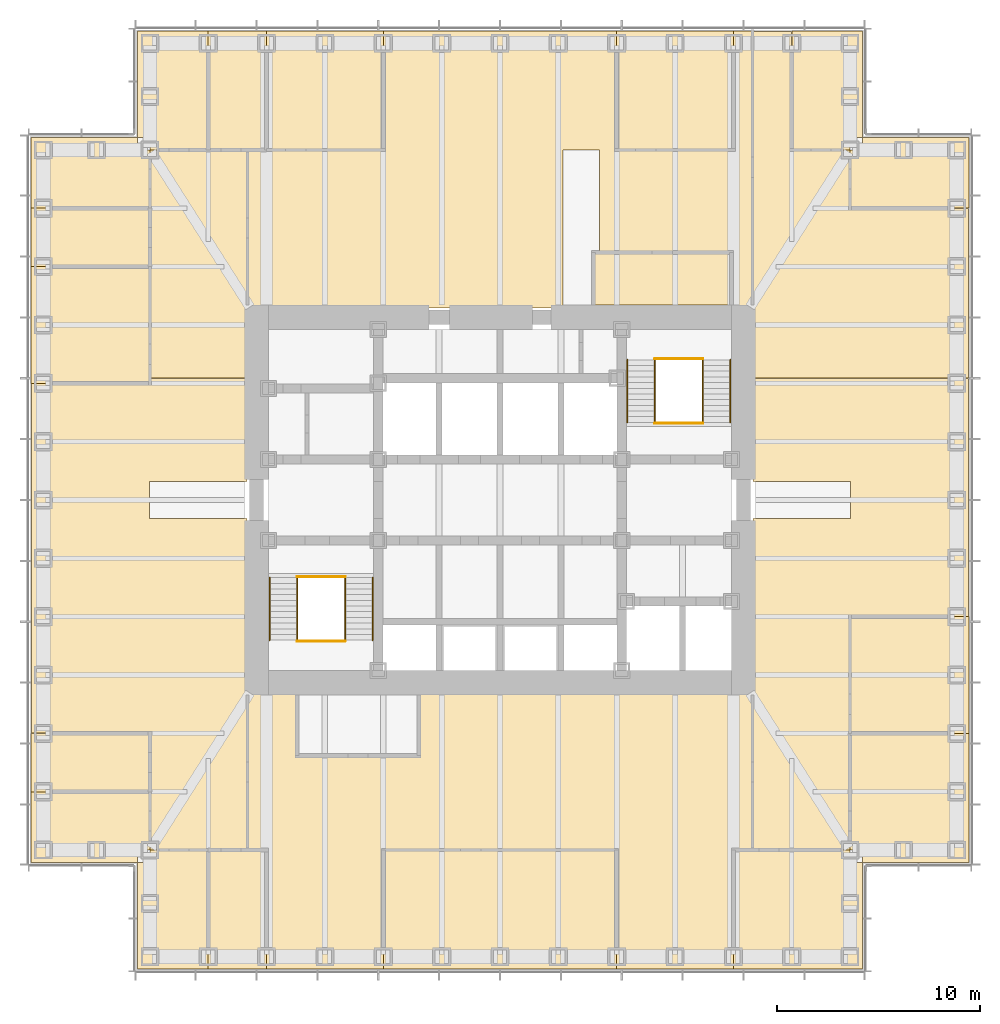
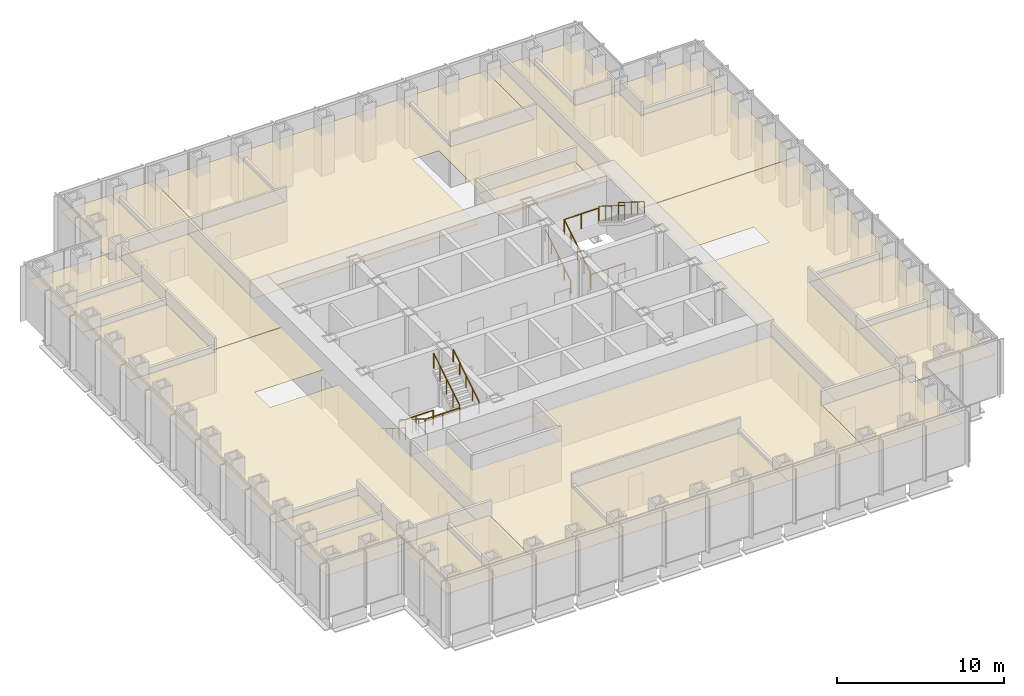
# One storey, part 17 of 17: 24 coverings, 12 railings.
"""IFC4 building model written with IfcOpenShell, lengths in metres."""

from ifc_helpers import new_model, si_unit, direction, frame, origin, origin_2d, place, context, subcontext, project, spatial, polyline, circle, outline, extrude, material, layer, layer_set, type_object, element, save


model = new_model("IFC4")

# Units and contexts
model_context = context("Model", 3, precision=1e-05, world=origin(), true_north=direction((0.0, 1.0)))
body_context = subcontext(model_context, "Body", "Model", "MODEL_VIEW")
ifc_project = project(units=[si_unit("LENGTHUNIT", "METRE"), si_unit("AREAUNIT", "SQUARE_METRE"), si_unit("VOLUMEUNIT", "CUBIC_METRE"), si_unit("PLANEANGLEUNIT", "RADIAN"), si_unit("MASSUNIT", "GRAM", prefix="KILO")], contexts=[model_context])

# Site, building, storey
site_placement = place(None, origin())
site = spatial("IfcSite", under=ifc_project, at=site_placement, CompositionType="ELEMENT")
building_placement = place(site_placement, origin())
building = spatial("IfcBuilding", under=site, at=building_placement, Name="Daluyong Arena Tower", CompositionType="ELEMENT")
storey_placement = place(building_placement, frame((0.0, 0.0, 145.89990234375)))
storey = spatial("IfcBuildingStorey", under=building, at=storey_placement, Name="L32", CompositionType="ELEMENT", Elevation=145.89990234375)

# Coverings
ifc_material_1 = material(Name="Mineral fibre ceiling tile", Category="gypsum board")
ifc_layer = layer(ifc_material_1, 0.02001953125)
ifc_layer_set = layer_set([ifc_layer], Name="Mineral fibre ceiling tile")
covering_type = type_object("IfcCoveringType", Name="Office ceiling", PredefinedType="CEILING", material=ifc_layer_set)
covering_1_placement = place(storey_placement, frame((0.0, 0.0, 2.900146484375)))
element("IfcCovering", 1, at=covering_1_placement, inside=storey, type_object=covering_type, Name="ceiling L32-01", PredefinedType="CEILING", context=body_context, shape_type="SweptSolid", body=[
    extrude(outline(polyline([(38.14990234375, 62.14990234375), (38.14990234375, 56.89990234375), (41.625, 56.89990234375), (41.625, 62.75), (38.75, 62.75), (38.75, 62.14990234375), (38.14990234375, 62.14990234375)])), origin(), (0.0, 0.0, 1.0), 0.02001953125),
])
covering_2_placement = place(storey_placement, frame((0.0, 0.0, 2.900146484375)))
element("IfcCovering", 2, at=covering_2_placement, inside=storey, type_object=covering_type, Name="ceiling L32-02", PredefinedType="CEILING", context=body_context, shape_type="SweptSolid", body=[
    extrude(outline(polyline([(41.625, 62.75), (41.625, 56.89990234375), (44.5, 56.89990234375), (44.5, 62.75), (41.625, 62.75)])), origin(), (0.0, 0.0, 1.0), 0.02001953125),
])
covering_3_placement = place(storey_placement, frame((0.0, 0.0, 2.900146484375)))
element("IfcCovering", 3, at=covering_3_placement, inside=storey, type_object=covering_type, Name="ceiling L32-03", PredefinedType="CEILING", context=body_context, shape_type="SweptSolid", body=[
    extrude(outline(polyline([(50.25, 62.75), (50.25, 56.89990234375), (61.75, 56.89990234375), (61.75, 62.75), (50.25, 62.75)])), origin(), (0.0, 0.0, 1.0), 0.02001953125),
])
covering_4_placement = place(storey_placement, frame((0.0, 0.0, 2.900146484375)))
element("IfcCovering", 4, at=covering_4_placement, inside=storey, type_object=covering_type, Name="ceiling L32-04", PredefinedType="CEILING", context=body_context, shape_type="SweptSolid", body=[
    extrude(outline(polyline([(73.85009765625, 56.89990234375), (73.85009765625, 62.14990234375), (73.25, 62.14990234375), (73.25, 62.75), (67.5, 62.75), (67.5, 56.89990234375), (73.85009765625, 56.89990234375)])), origin(), (0.0, 0.0, 1.0), 0.02001953125),
])
covering_5_placement = place(storey_placement, frame((0.0, 0.0, 2.900146484375)))
element("IfcCovering", 5, at=covering_5_placement, inside=storey, type_object=covering_type, Name="ceiling L32-05", PredefinedType="CEILING", context=body_context, shape_type="SweptSolid", body=[
    extrude(outline(polyline([(73.85009765625, 62.14990234375), (79.10009765625, 62.14990234375), (79.10009765625, 68.5), (73.25, 68.5), (73.25, 62.75), (73.85009765625, 62.75), (73.85009765625, 62.14990234375)])), origin(), (0.0, 0.0, 1.0), 0.02001953125),
])
covering_6_placement = place(storey_placement, frame((0.0, 0.0, 2.900146484375)))
element("IfcCovering", 6, at=covering_6_placement, inside=storey, type_object=covering_type, Name="ceiling L32-06", PredefinedType="CEILING", context=body_context, shape_type="SweptSolid", body=[
    extrude(outline(polyline([(73.25, 68.5), (79.10009765625, 68.5), (79.10009765625, 74.25), (73.25, 74.25), (73.25, 68.5)])), origin(), (0.0, 0.0, 1.0), 0.02001953125),
])
covering_7_placement = place(storey_placement, frame((0.0, 0.0, 2.900146484375)))
element("IfcCovering", 7, at=covering_7_placement, inside=storey, type_object=covering_type, Name="ceiling L32-07", PredefinedType="CEILING", context=body_context, shape_type="SweptSolid", body=[
    extrude(outline(polyline([(73.25, 94.375), (79.10009765625, 94.375), (79.10009765625, 97.85009765625), (73.85009765625, 97.85009765625), (73.85009765625, 97.25), (73.25, 97.25), (73.25, 94.375)])), origin(), (0.0, 0.0, 1.0), 0.02001953125),
])
covering_8_placement = place(storey_placement, frame((0.0, 0.0, 2.900146484375)))
element("IfcCovering", 8, at=covering_8_placement, inside=storey, type_object=covering_type, Name="ceiling L32-08", PredefinedType="CEILING", context=body_context, shape_type="SweptSolid", body=[
    extrude(outline(polyline([(41.625, 97.25), (41.625, 103.10009765625), (38.14990234375, 103.10009765625), (38.14990234375, 97.85009765625), (38.75, 97.85009765625), (38.75, 97.25), (41.625, 97.25)])), origin(), (0.0, 0.0, 1.0), 0.02001953125),
])
covering_9_placement = place(storey_placement, frame((0.0, 0.0, 2.900146484375)))
element("IfcCovering", 9, at=covering_9_placement, inside=storey, type_object=covering_type, Name="ceiling L32-09", PredefinedType="CEILING", context=body_context, shape_type="SweptSolid", body=[
    extrude(outline(polyline([(44.5, 97.25), (44.5, 103.10009765625), (41.625, 103.10009765625), (41.625, 97.25), (44.5, 97.25)])), origin(), (0.0, 0.0, 1.0), 0.02001953125),
])
covering_10_placement = place(storey_placement, frame((0.0, 0.0, 2.900146484375)))
element("IfcCovering", 10, at=covering_10_placement, inside=storey, type_object=covering_type, Name="ceiling L32-10", PredefinedType="CEILING", context=body_context, shape_type="SweptSolid", body=[
    extrude(outline(polyline([(50.25, 97.25), (50.25, 103.10009765625), (44.5, 103.10009765625), (44.5, 97.25), (50.25, 97.25)])), origin(), (0.0, 0.0, 1.0), 0.02001953125),
])
covering_11_placement = place(storey_placement, frame((0.0, 0.0, 2.900146484375)))
element("IfcCovering", 11, at=covering_11_placement, inside=storey, type_object=covering_type, Name="ceiling L32-11", PredefinedType="CEILING", context=body_context, shape_type="SweptSolid", body=[
    extrude(outline(polyline([(67.5, 97.25), (67.5, 103.10009765625), (61.75, 103.10009765625), (61.75, 97.25), (67.5, 97.25)])), origin(), (0.0, 0.0, 1.0), 0.02001953125),
])
covering_12_placement = place(storey_placement, frame((0.0, 0.0, 2.900146484375)))
element("IfcCovering", 12, at=covering_12_placement, inside=storey, type_object=covering_type, Name="ceiling L32-12", PredefinedType="CEILING", context=body_context, shape_type="SweptSolid", body=[
    extrude(outline(polyline([(70.375, 97.25), (73.25, 97.25), (73.25, 97.85009765625), (73.85009765625, 97.85009765625), (73.85009765625, 103.10009765625), (70.375, 103.10009765625), (70.375, 97.25)])), origin(), (0.0, 0.0, 1.0), 0.02001953125),
])
covering_13_placement = place(storey_placement, frame((0.0, 0.0, 2.900146484375)))
element("IfcCovering", 13, at=covering_13_placement, inside=storey, type_object=covering_type, Name="ceiling L32-13", PredefinedType="CEILING", context=body_context, shape_type="SweptSolid", body=[
    extrude(outline(polyline([(32.89990234375, 62.14990234375), (38.14990234375, 62.14990234375), (38.14990234375, 62.75), (38.75, 62.75), (38.75, 65.625), (32.89990234375, 65.625), (32.89990234375, 62.14990234375)])), origin(), (0.0, 0.0, 1.0), 0.02001953125),
])
covering_14_placement = place(storey_placement, frame((0.0, 0.0, 2.900146484375)))
element("IfcCovering", 14, at=covering_14_placement, inside=storey, type_object=covering_type, Name="ceiling L32-14", PredefinedType="CEILING", context=body_context, shape_type="SweptSolid", body=[
    extrude(outline(polyline([(38.75, 68.5), (32.89990234375, 68.5), (32.89990234375, 65.625), (38.75, 65.625), (38.75, 68.5)])), origin(), (0.0, 0.0, 1.0), 0.02001953125),
])
covering_15_placement = place(storey_placement, frame((0.0, 0.0, 2.900146484375)))
element("IfcCovering", 15, at=covering_15_placement, inside=storey, type_object=covering_type, Name="ceiling L32-15", PredefinedType="CEILING", context=body_context, shape_type="SweptSolid", body=[
    extrude(outline(polyline([(38.75, 91.5), (32.89990234375, 91.5), (32.89990234375, 85.75), (38.75, 85.75), (38.75, 91.5)])), origin(), (0.0, 0.0, 1.0), 0.02001953125),
])
covering_16_placement = place(storey_placement, frame((0.0, 0.0, 2.900146484375)))
element("IfcCovering", 16, at=covering_16_placement, inside=storey, type_object=covering_type, Name="ceiling L32-16", PredefinedType="CEILING", context=body_context, shape_type="SweptSolid", body=[
    extrude(outline(polyline([(38.75, 94.375), (32.89990234375, 94.375), (32.89990234375, 91.5), (38.75, 91.5), (38.75, 94.375)])), origin(), (0.0, 0.0, 1.0), 0.02001953125),
])
covering_17_placement = place(storey_placement, frame((0.0, 0.0, 2.900146484375)))
element("IfcCovering", 17, at=covering_17_placement, inside=storey, type_object=covering_type, Name="ceiling L32-17", PredefinedType="CEILING", context=body_context, shape_type="SweptSolid", body=[
    extrude(outline(polyline([(38.75, 94.375), (38.75, 97.25), (38.14990234375, 97.25), (38.14990234375, 97.85009765625), (32.89990234375, 97.85009765625), (32.89990234375, 94.375), (38.75, 94.375)])), origin(), (0.0, 0.0, 1.0), 0.02001953125),
])
covering_18_placement = place(storey_placement, frame((0.0, 0.0, 2.900146484375)))
element("IfcCovering", 18, at=covering_18_placement, inside=storey, type_object=covering_type, Name="ceiling L32-19", PredefinedType="CEILING", context=body_context, shape_type="SweptSolid", body=[
    extrude(outline(polyline([(60.60009765625, 89.60009765625), (67.39990234375, 89.60009765625), (67.39990234375, 92.199951171875), (60.60009765625, 92.199951171875), (60.60009765625, 89.60009765625)])), origin(), (0.0, 0.0, 1.0), 0.02001953125),
])
covering_19_placement = place(storey_placement, frame((0.0, 0.0, 2.900146484375)))
element("IfcCovering", 19, at=covering_19_placement, inside=storey, type_object=covering_type, Name="ceiling L32-23", PredefinedType="CEILING", context=body_context, shape_type="SweptSolid", body=[
    extrude(outline(polyline([(67.5, 62.75), (68.449951171875, 62.75), (68.449951171875, 70.550048828125), (43.550048828125, 70.550048828125), (43.550048828125, 62.75), (44.5, 62.75), (44.5, 56.89990234375), (50.25, 56.89990234375), (50.25, 62.75), (61.75, 62.75), (61.75, 56.89990234375), (67.5, 56.89990234375), (67.5, 62.75)]), holes=[polyline([(46.0, 67.39990234375), (46.0, 70.39990234375), (52.0, 70.39990234375), (52.0, 67.39990234375), (46.0, 67.39990234375)])]), origin(), (0.0, 0.0, 1.0), 0.02001953125),
])
covering_20_placement = place(storey_placement, frame((0.0, 0.0, 2.900146484375)))
element("IfcCovering", 20, at=covering_20_placement, inside=storey, type_object=covering_type, Name="ceiling L32-24", PredefinedType="CEILING", context=body_context, shape_type="SweptSolid", body=[
    extrude(outline(polyline([(43.550048828125, 97.25), (43.550048828125, 89.449951171875), (59.10009765625, 89.449951171875), (59.10009765625, 97.25), (60.89990234375, 97.25), (60.89990234375, 92.199951171875), (67.39990234375, 92.199951171875), (67.39990234375, 89.60009765625), (60.89990234375, 89.60009765625), (60.89990234375, 89.449951171875), (68.449951171875, 89.449951171875), (68.449951171875, 103.10009765625), (67.5, 103.10009765625), (67.5, 97.25), (61.75, 97.25), (61.75, 103.10009765625), (50.25, 103.10009765625), (50.25, 97.25), (43.550048828125, 97.25)])), origin(), (0.0, 0.0, 1.0), 0.02001953125),
])
covering_21_placement = place(storey_placement, frame((0.0, 0.0, 2.900146484375)))
element("IfcCovering", 21, at=covering_21_placement, inside=storey, type_object=covering_type, Name="ceiling L32-25", PredefinedType="CEILING", context=body_context, shape_type="SweptSolid", body=[
    extrude(outline(polyline([(38.760009765625, 62.760009765625), (43.5400390625, 62.760009765625), (43.5400390625, 79.090087890625), (38.739990234375, 79.090087890625), (38.739990234375, 80.909912109375), (43.5400390625, 80.909912109375), (43.5400390625, 85.989990234375), (38.760009765625, 85.989990234375), (38.760009765625, 85.739990234375), (32.909912109375, 85.739990234375), (32.909912109375, 68.510009765625), (38.760009765625, 68.510009765625), (38.760009765625, 62.760009765625)])), origin(), (0.0, 0.0, 1.0), 0.02001953125),
])
covering_22_placement = place(storey_placement, frame((0.0, 0.0, 2.900146484375)))
element("IfcCovering", 22, at=covering_22_placement, inside=storey, type_object=covering_type, Name="ceiling L32-26", PredefinedType="CEILING", context=body_context, shape_type="SweptSolid", body=[
    extrude(outline(polyline([(38.760009765625, 97.239990234375), (38.760009765625, 86.010009765625), (43.5400390625, 86.010009765625), (43.5400390625, 97.239990234375), (38.760009765625, 97.239990234375)])), origin(), (0.0, 0.0, 1.0), 0.02001953125),
])
covering_23_placement = place(storey_placement, frame((0.0, 0.0, 2.900146484375)))
element("IfcCovering", 23, at=covering_23_placement, inside=storey, type_object=covering_type, Name="ceiling L32-27", PredefinedType="CEILING", context=body_context, shape_type="SweptSolid", body=[
    extrude(outline(polyline([(73.239990234375, 62.760009765625), (73.239990234375, 74.260009765625), (79.090087890625, 74.260009765625), (79.090087890625, 85.989990234375), (68.4599609375, 85.989990234375), (68.4599609375, 80.909912109375), (73.260009765625, 80.909912109375), (73.260009765625, 79.090087890625), (68.4599609375, 79.090087890625), (68.4599609375, 62.760009765625), (73.239990234375, 62.760009765625)])), origin(), (0.0, 0.0, 1.0), 0.02001953125),
])
covering_24_placement = place(storey_placement, frame((0.0, 0.0, 2.900146484375)))
element("IfcCovering", 24, at=covering_24_placement, inside=storey, type_object=covering_type, Name="ceiling L32-28", PredefinedType="CEILING", context=body_context, shape_type="SweptSolid", body=[
    extrude(outline(polyline([(70.364990234375, 97.239990234375), (70.364990234375, 103.090087890625), (68.4599609375, 103.090087890625), (68.4599609375, 86.010009765625), (79.090087890625, 86.010009765625), (79.090087890625, 94.364990234375), (73.239990234375, 94.364990234375), (73.239990234375, 97.239990234375), (70.364990234375, 97.239990234375)])), origin(), (0.0, 0.0, 1.0), 0.02001953125),
])

# Railings
ifc_material_2 = material(Name="Stainless steel handrail", Category="steel")
railing_type_1 = type_object("IfcRailingType", Name="Stair handrail", PredefinedType="HANDRAIL", material=ifc_material_2)
railing_1_placement = place(storey_placement, frame((44.64990234375, 76.175048828125, 0.175048828125)))
element("IfcRailing", 25, at=railing_1_placement, inside=storey, type_object=railing_type_1, Name="exit stair A handrail L32", PredefinedType="HANDRAIL", context=body_context, shape_type="SweptSolid", body=[
    extrude(circle(Radius=0.02392578125, at=origin_2d()), frame((0.0, 0.0, 0.8759765625), z_axis=(0.0, -0.847998304005, 0.529998940003), x_axis=(1.0, 0.0, 0.0)), (0.0, 0.0, 1.0), 3.632080078125),
    extrude(circle(Radius=0.02099609375, at=origin_2d()), origin(), (0.0, 0.0, 1.0), 0.851806640625),
    extrude(circle(Radius=0.02099609375, at=origin_2d()), frame((0.0, -0.77001953125, 0.481201171875)), (0.0, 0.0, 1.0), 0.851806640625),
    extrude(circle(Radius=0.02099609375, at=origin_2d()), frame((0.0, -1.5400390625, 0.96240234375)), (0.0, 0.0, 1.0), 0.851806640625),
    extrude(circle(Radius=0.02099609375, at=origin_2d()), frame((0.0, -2.31005859375, 1.44384765625)), (0.0, 0.0, 1.0), 0.851806640625),
    extrude(circle(Radius=0.02099609375, at=origin_2d()), frame((0.0, -3.080078125, 1.925048828125)), (0.0, 0.0, 1.0), 0.851806640625),
])
for number, where, name in (
    (26, (49.72509765625, 73.094970703125, 2.275146484375), "exit stair A handrail L32"),
    (27, (62.27490234375, 83.824951171875, 0.175048828125), "exit stair B handrail L32"),
):
    element("IfcRailing", number, at=place(storey_placement, frame(where)), inside=storey, type_object=railing_type_1, Name=name, PredefinedType="HANDRAIL", context=body_context, shape_type="SweptSolid", body=[
        extrude(circle(Radius=0.02392578125, at=origin_2d()), frame((0.0, 0.0, 0.8759765625), z_axis=(0.0, 0.847998304005, 0.529998940003), x_axis=(-1.0, 0.0, 0.0)), (0.0, 0.0, 1.0), 3.632080078125),
        extrude(circle(Radius=0.02099609375, at=origin_2d()), origin(), (0.0, 0.0, 1.0), 0.851806640625),
        extrude(circle(Radius=0.02099609375, at=origin_2d()), frame((0.0, 0.77001953125, 0.481201171875)), (0.0, 0.0, 1.0), 0.851806640625),
        extrude(circle(Radius=0.02099609375, at=origin_2d()), frame((0.0, 1.5400390625, 0.96240234375)), (0.0, 0.0, 1.0), 0.851806640625),
        extrude(circle(Radius=0.02099609375, at=origin_2d()), frame((0.0, 2.31005859375, 1.44384765625)), (0.0, 0.0, 1.0), 0.851806640625),
        extrude(circle(Radius=0.02099609375, at=origin_2d()), frame((0.0, 3.080078125, 1.925048828125)), (0.0, 0.0, 1.0), 0.851806640625),
    ])
railing_2_placement = place(storey_placement, frame((67.35009765625, 86.905029296875, 2.275146484375)))
element("IfcRailing", 28, at=railing_2_placement, inside=storey, type_object=railing_type_1, Name="exit stair B handrail L32", PredefinedType="HANDRAIL", context=body_context, shape_type="SweptSolid", body=[
    extrude(circle(Radius=0.02392578125, at=origin_2d()), frame((0.0, 0.0, 0.8759765625), z_axis=(0.0, -0.847998304005, 0.529998940003), x_axis=(1.0, 0.0, 0.0)), (0.0, 0.0, 1.0), 3.632080078125),
    extrude(circle(Radius=0.02099609375, at=origin_2d()), origin(), (0.0, 0.0, 1.0), 0.851806640625),
    extrude(circle(Radius=0.02099609375, at=origin_2d()), frame((0.0, -0.77001953125, 0.481201171875)), (0.0, 0.0, 1.0), 0.851806640625),
    extrude(circle(Radius=0.02099609375, at=origin_2d()), frame((0.0, -1.5400390625, 0.96240234375)), (0.0, 0.0, 1.0), 0.851806640625),
    extrude(circle(Radius=0.02099609375, at=origin_2d()), frame((0.0, -2.31005859375, 1.44384765625)), (0.0, 0.0, 1.0), 0.851806640625),
    extrude(circle(Radius=0.02099609375, at=origin_2d()), frame((0.0, -3.080078125, 1.925048828125)), (0.0, 0.0, 1.0), 0.851806640625),
])
ifc_material_3 = material(Name="Steel balustrade", Category="steel")
railing_type_2 = type_object("IfcRailingType", Name="Stair well guard 1100", PredefinedType="GUARDRAIL", material=ifc_material_3)
railing_3_placement = place(storey_placement, frame((46.0, 76.175048828125, 0.175048828125)))
element("IfcRailing", 29, at=railing_3_placement, inside=storey, type_object=railing_type_2, Name="exit stair A well guard L32", PredefinedType="GUARDRAIL", context=body_context, shape_type="SweptSolid", body=[
    extrude(circle(Radius=0.02392578125, at=origin_2d()), frame((0.0, 0.0, 1.076171875), z_axis=(0.0, -0.847998304005, 0.529998940003), x_axis=(1.0, 0.0, 0.0)), (0.0, 0.0, 1.0), 3.632080078125),
    extrude(circle(Radius=0.02099609375, at=origin_2d()), origin(), (0.0, 0.0, 1.0), 1.052001953125),
    extrude(circle(Radius=0.02099609375, at=origin_2d()), frame((0.0, -0.77001953125, 0.481201171875)), (0.0, 0.0, 1.0), 1.052001953125),
    extrude(circle(Radius=0.02099609375, at=origin_2d()), frame((0.0, -1.5400390625, 0.96240234375)), (0.0, 0.0, 1.0), 1.052001953125),
    extrude(circle(Radius=0.02099609375, at=origin_2d()), frame((0.0, -2.31005859375, 1.44384765625)), (0.0, 0.0, 1.0), 1.052001953125),
    extrude(circle(Radius=0.02099609375, at=origin_2d()), frame((0.0, -3.080078125, 1.925048828125)), (0.0, 0.0, 1.0), 1.052001953125),
])
railing_4_placement = place(storey_placement, frame((48.375, 73.094970703125, 2.275146484375)))
element("IfcRailing", 30, at=railing_4_placement, inside=storey, type_object=railing_type_2, Name="exit stair A well guard L32", PredefinedType="GUARDRAIL", context=body_context, shape_type="SweptSolid", body=[
    extrude(circle(Radius=0.02392578125, at=origin_2d()), frame((0.0, 0.0, 1.076171875), z_axis=(0.0, 0.847998304005, 0.529998940003), x_axis=(-1.0, 0.0, 0.0)), (0.0, 0.0, 1.0), 3.632080078125),
    extrude(circle(Radius=0.02099609375, at=origin_2d()), origin(), (0.0, 0.0, 1.0), 1.052001953125),
    extrude(circle(Radius=0.02099609375, at=origin_2d()), frame((0.0, 0.77001953125, 0.481201171875)), (0.0, 0.0, 1.0), 1.052001953125),
    extrude(circle(Radius=0.02099609375, at=origin_2d()), frame((0.0, 1.5400390625, 0.96240234375)), (0.0, 0.0, 1.0), 1.052001953125),
    extrude(circle(Radius=0.02099609375, at=origin_2d()), frame((0.0, 2.31005859375, 1.44384765625)), (0.0, 0.0, 1.0), 1.052001953125),
    extrude(circle(Radius=0.02099609375, at=origin_2d()), frame((0.0, 3.080078125, 1.925048828125)), (0.0, 0.0, 1.0), 1.052001953125),
])
for number, where, name in (
    (31, (46.0, 73.044921875, 2.10009765625), "exit stair A landing guard L32"),
    (32, (46.0, 76.22509765625, 0.0), "exit stair A floor landing guard L32"),
):
    element("IfcRailing", number, at=place(storey_placement, frame(where)), inside=storey, type_object=railing_type_2, Name=name, PredefinedType="GUARDRAIL", context=body_context, shape_type="SweptSolid", body=[
        extrude(circle(Radius=0.02392578125, at=origin_2d()), frame((0.0, 0.0, 1.076171875), z_axis=(1.0, 0.0, 0.0), x_axis=(0.0, 1.0, 0.0)), (0.0, 0.0, 1.0), 2.375),
        extrude(circle(Radius=0.02099609375, at=origin_2d()), origin(), (0.0, 0.0, 1.0), 1.052001953125),
        extrude(circle(Radius=0.02099609375, at=origin_2d()), frame((1.1875, 0.0, 0.0)), (0.0, 0.0, 1.0), 1.052001953125),
        extrude(circle(Radius=0.02099609375, at=origin_2d()), frame((2.375, 0.0, 0.0)), (0.0, 0.0, 1.0), 1.052001953125),
    ])
railing_5_placement = place(storey_placement, frame((63.625, 83.824951171875, 0.175048828125)))
element("IfcRailing", 33, at=railing_5_placement, inside=storey, type_object=railing_type_2, Name="exit stair B well guard L32", PredefinedType="GUARDRAIL", context=body_context, shape_type="SweptSolid", body=[
    extrude(circle(Radius=0.02392578125, at=origin_2d()), frame((0.0, 0.0, 1.076171875), z_axis=(0.0, 0.847998304005, 0.529998940003), x_axis=(-1.0, 0.0, 0.0)), (0.0, 0.0, 1.0), 3.632080078125),
    extrude(circle(Radius=0.02099609375, at=origin_2d()), origin(), (0.0, 0.0, 1.0), 1.052001953125),
    extrude(circle(Radius=0.02099609375, at=origin_2d()), frame((0.0, 0.77001953125, 0.481201171875)), (0.0, 0.0, 1.0), 1.052001953125),
    extrude(circle(Radius=0.02099609375, at=origin_2d()), frame((0.0, 1.5400390625, 0.96240234375)), (0.0, 0.0, 1.0), 1.052001953125),
    extrude(circle(Radius=0.02099609375, at=origin_2d()), frame((0.0, 2.31005859375, 1.44384765625)), (0.0, 0.0, 1.0), 1.052001953125),
    extrude(circle(Radius=0.02099609375, at=origin_2d()), frame((0.0, 3.080078125, 1.925048828125)), (0.0, 0.0, 1.0), 1.052001953125),
])
railing_6_placement = place(storey_placement, frame((66.0, 86.905029296875, 2.275146484375)))
element("IfcRailing", 34, at=railing_6_placement, inside=storey, type_object=railing_type_2, Name="exit stair B well guard L32", PredefinedType="GUARDRAIL", context=body_context, shape_type="SweptSolid", body=[
    extrude(circle(Radius=0.02392578125, at=origin_2d()), frame((0.0, 0.0, 1.076171875), z_axis=(0.0, -0.847998304005, 0.529998940003), x_axis=(1.0, 0.0, 0.0)), (0.0, 0.0, 1.0), 3.632080078125),
    extrude(circle(Radius=0.02099609375, at=origin_2d()), origin(), (0.0, 0.0, 1.0), 1.052001953125),
    extrude(circle(Radius=0.02099609375, at=origin_2d()), frame((0.0, -0.77001953125, 0.481201171875)), (0.0, 0.0, 1.0), 1.052001953125),
    extrude(circle(Radius=0.02099609375, at=origin_2d()), frame((0.0, -1.5400390625, 0.96240234375)), (0.0, 0.0, 1.0), 1.052001953125),
    extrude(circle(Radius=0.02099609375, at=origin_2d()), frame((0.0, -2.31005859375, 1.44384765625)), (0.0, 0.0, 1.0), 1.052001953125),
    extrude(circle(Radius=0.02099609375, at=origin_2d()), frame((0.0, -3.080078125, 1.925048828125)), (0.0, 0.0, 1.0), 1.052001953125),
])
for number, where, name in (
    (35, (63.625, 86.955078125, 2.10009765625), "exit stair B landing guard L32"),
    (36, (63.625, 83.77490234375, 0.0), "exit stair B floor landing guard L32"),
):
    element("IfcRailing", number, at=place(storey_placement, frame(where)), inside=storey, type_object=railing_type_2, Name=name, PredefinedType="GUARDRAIL", context=body_context, shape_type="SweptSolid", body=[
        extrude(circle(Radius=0.02392578125, at=origin_2d()), frame((0.0, 0.0, 1.076171875), z_axis=(1.0, 0.0, 0.0), x_axis=(0.0, 1.0, 0.0)), (0.0, 0.0, 1.0), 2.375),
        extrude(circle(Radius=0.02099609375, at=origin_2d()), origin(), (0.0, 0.0, 1.0), 1.052001953125),
        extrude(circle(Radius=0.02099609375, at=origin_2d()), frame((1.1875, 0.0, 0.0)), (0.0, 0.0, 1.0), 1.052001953125),
        extrude(circle(Radius=0.02099609375, at=origin_2d()), frame((2.375, 0.0, 0.0)), (0.0, 0.0, 1.0), 1.052001953125),
    ])

save(model, "model.ifc")
